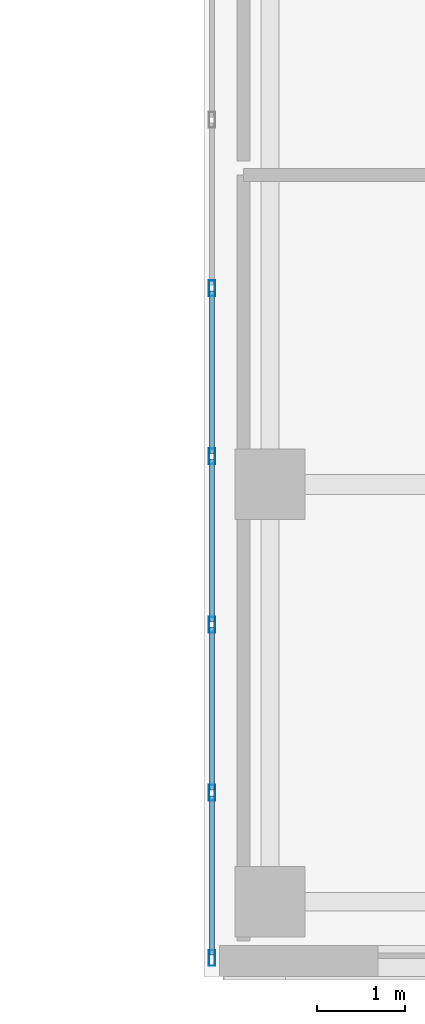
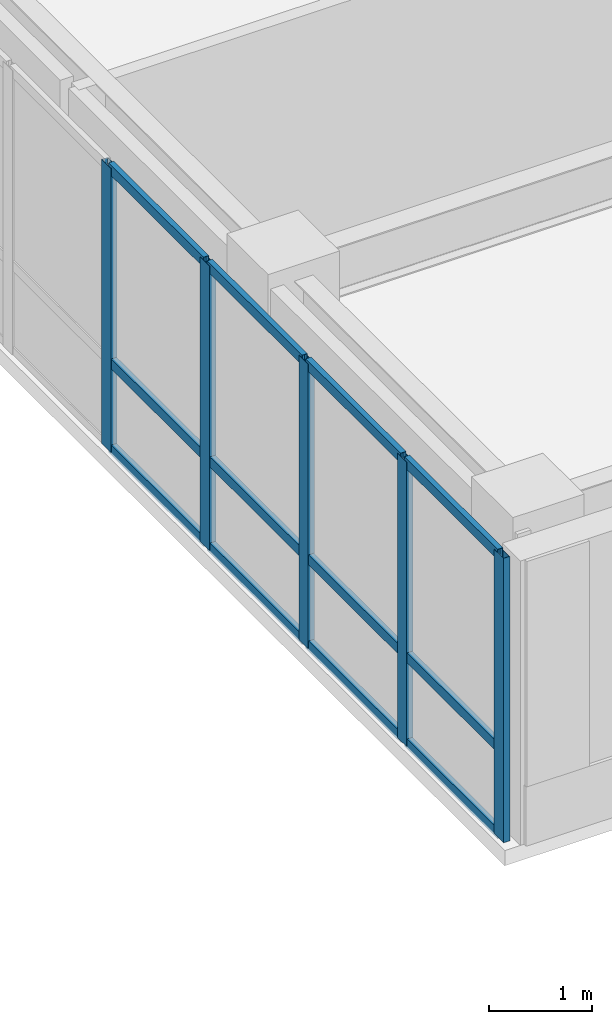
# One storey, part 4 of 20: 17 members, 1 element without a shape of its own.
"""IFC4 building model written with IfcOpenShell, lengths in metres."""

from ifc_helpers import new_model, si_unit, direction, frame, origin, origin_2d, place, context, subcontext, project, spatial, hollow_rectangle, extrude, source, transform, mapped, material, layer, layer_set, material_profile, profile_set, type_object, type_shapes, element, aggregate, save


model = new_model("IFC4")

# Units and contexts
model_context = context("Model", 3, precision=1e-05, world=origin(), true_north=direction((0.0, 1.0)))
body_context = subcontext(model_context, "Body", "Model", "MODEL_VIEW")
ifc_project = project(units=[si_unit("LENGTHUNIT", "METRE"), si_unit("AREAUNIT", "SQUARE_METRE"), si_unit("VOLUMEUNIT", "CUBIC_METRE"), si_unit("PLANEANGLEUNIT", "RADIAN"), si_unit("MASSUNIT", "GRAM", prefix="KILO")], contexts=[model_context])

# Site, building, storey
site_placement = place(None, origin())
site = spatial("IfcSite", under=ifc_project, at=site_placement, CompositionType="ELEMENT")
building_placement = place(site_placement, origin())
building = spatial("IfcBuilding", under=site, at=building_placement, Name="Tolvann Quenvar Hotel", CompositionType="ELEMENT")
storey_placement = place(building_placement, frame((0.0, 0.0, 191.10009765625)))
storey = spatial("IfcBuildingStorey", under=building, at=storey_placement, Name="L50", CompositionType="ELEMENT", Elevation=191.10009765625)

# Curtain wall, members
ifc_material_1 = material(Name="Thermally broken anodised architectural aluminium 6063-T6 and laminated low-E glass", Category="aluminium")
ifc_layer = layer(ifc_material_1, 0.179931640625)
ifc_layer_set = layer_set([ifc_layer], Name="Thermally broken anodised architectural aluminium 6063-T6 and laminated low-E glass")
curtain_wall_type = type_object("IfcCurtainWallType", Name="CW_SYS_SLOT_03", PredefinedType="USERDEFINED", material=ifc_layer_set)
curtain_wall_placement = place(storey_placement, origin())
curtain_wall = element("IfcCurtainWall", 1, at=curtain_wall_placement, inside=storey, type_object=curtain_wall_type, Name="Curtain Wall CW-SLOT-03 (CWR-L50-E07)", ObjectType="UNITISED CURTAIN WALL", PredefinedType="USERDEFINED")
ifc_material_2 = material(Name="Anodised architectural aluminium 6063-T6 framing", Category="aluminium")
ifc_material_profile_1 = material_profile(ifc_material_2, hollow_rectangle(XDim=0.070068359375, YDim=0.179931640625, WallThickness=0.00390625, at=origin_2d()), Name="180x70x4RHS")
ifc_profile_set_1 = profile_set([ifc_material_profile_1], Name="Anodised architectural aluminium 6063-T6 framing")
member_type_1 = type_object("IfcMemberType", Name="CW_MULL_180x70", PredefinedType="MULLION", material=ifc_profile_set_1)
shared_shape_1 = source(origin(), body_context, "Body", "SweptSolid", [
    extrude(hollow_rectangle(XDim=0.070068359375, YDim=0.179931640625, WallThickness=0.00390625, at=origin_2d()), origin(), (0.0, 0.0, 1.0), 3.369873046875),
])
type_shapes(member_type_1, [shared_shape_1])
member_1_placement = place(storey_placement, frame((34.2900390625, 10.43212890625, 0.0), z_axis=(0.0, 0.0, 1.0), x_axis=(1.0, 0.0, 0.0)))
member_1 = element("IfcMember", 2, at=member_1_placement, type_object=member_type_1, Name="CW-SLOT-03 mullion 4", PredefinedType="MULLION", context=body_context, shape_type="MappedRepresentation", body=[
    mapped(shared_shape_1, transform((0.0, 0.0, 0.0), x_axis=(1.0, 0.0, 0.0), y_axis=(0.0, 1.0, 0.0), z_axis=(0.0, 0.0, 1.0), scale=1.0)),
])
member_2_placement = place(storey_placement, frame((34.2900390625, 8.517822265625, 0.0), z_axis=(0.0, 0.0, 1.0), x_axis=(1.0, 0.0, 0.0)))
member_2 = element("IfcMember", 3, at=member_2_placement, type_object=member_type_1, Name="CW-SLOT-03 mullion 5", PredefinedType="MULLION", context=body_context, shape_type="MappedRepresentation", body=[
    mapped(shared_shape_1, transform((0.0, 0.0, 0.0), x_axis=(1.0, 0.0, 0.0), y_axis=(0.0, 1.0, 0.0), z_axis=(0.0, 0.0, 1.0), scale=1.0)),
])
member_3_placement = place(storey_placement, frame((34.2900390625, 6.603515625, 0.0), z_axis=(0.0, 0.0, 1.0), x_axis=(1.0, 0.0, 0.0)))
member_3 = element("IfcMember", 4, at=member_3_placement, type_object=member_type_1, Name="CW-SLOT-03 mullion 6", PredefinedType="MULLION", context=body_context, shape_type="MappedRepresentation", body=[
    mapped(shared_shape_1, transform((0.0, 0.0, 0.0), x_axis=(1.0, 0.0, 0.0), y_axis=(0.0, 1.0, 0.0), z_axis=(0.0, 0.0, 1.0), scale=1.0)),
])
member_4_placement = place(storey_placement, frame((34.2900390625, 4.689208984375, 0.0), z_axis=(0.0, 0.0, 1.0), x_axis=(1.0, 0.0, 0.0)))
member_4 = element("IfcMember", 5, at=member_4_placement, type_object=member_type_1, Name="CW-SLOT-03 mullion 7", PredefinedType="MULLION", context=body_context, shape_type="MappedRepresentation", body=[
    mapped(shared_shape_1, transform((0.0, 0.0, 0.0), x_axis=(1.0, 0.0, 0.0), y_axis=(0.0, 1.0, 0.0), z_axis=(0.0, 0.0, 1.0), scale=1.0)),
])
member_5_placement = place(storey_placement, frame((34.2900390625, 2.81005859375, 0.0), z_axis=(0.0, 0.0, 1.0), x_axis=(1.0, 0.0, 0.0)))
member_5 = element("IfcMember", 6, at=member_5_placement, type_object=member_type_1, Name="CW-SLOT-03 mullion 8", PredefinedType="MULLION", context=body_context, shape_type="MappedRepresentation", body=[
    mapped(shared_shape_1, transform((0.0, 0.0, 0.0), x_axis=(1.0, 0.0, 0.0), y_axis=(0.0, 1.0, 0.0), z_axis=(0.0, 0.0, 1.0), scale=1.0)),
])
ifc_material_profile_2 = material_profile(ifc_material_2, hollow_rectangle(XDim=0.06005859375, YDim=0.1201171875, WallThickness=0.00341796875, at=origin_2d()), Name="120x60x3.5RHS")
ifc_profile_set_2 = profile_set([ifc_material_profile_2], Name="Anodised architectural aluminium 6063-T6 framing")
member_type_2 = type_object("IfcMemberType", Name="CW_TRAN_120x60", PredefinedType="USERDEFINED", material=ifc_profile_set_2)
shared_shape_2 = source(origin(), body_context, "Body", "SweptSolid", [
    extrude(hollow_rectangle(XDim=0.06005859375, YDim=0.1201171875, WallThickness=0.00341796875, at=origin_2d()), origin(), (0.0, 0.0, 1.0), 1.809326171875),
])
member_6_placement = place(storey_placement, frame((34.2900390625, 4.654296875, 0.02978515625), z_axis=(0.0, -1.0, 0.0), x_axis=(1.0, 0.0, 0.0)))
member_6 = element("IfcMember", 7, at=member_6_placement, type_object=member_type_2, Name="CW-SLOT-03 transom 7.1", ObjectType="TRANSOM", PredefinedType="USERDEFINED", context=body_context, shape_type="MappedRepresentation", body=[
    mapped(shared_shape_2, transform((0.0, 0.0, 0.0), x_axis=(1.0, 0.0, 0.0), y_axis=(0.0, 1.0, 0.0), z_axis=(0.0, 0.0, 1.0), scale=1.0)),
])
member_7_placement = place(storey_placement, frame((34.2900390625, 4.654296875, 1.0498046875), z_axis=(0.0, -1.0, 0.0), x_axis=(1.0, 0.0, 0.0)))
member_7 = element("IfcMember", 8, at=member_7_placement, type_object=member_type_2, Name="CW-SLOT-03 transom 7.2", ObjectType="TRANSOM", PredefinedType="USERDEFINED", context=body_context, shape_type="MappedRepresentation", body=[
    mapped(shared_shape_2, transform((0.0, 0.0, 0.0), x_axis=(1.0, 0.0, 0.0), y_axis=(0.0, 1.0, 0.0), z_axis=(0.0, 0.0, 1.0), scale=1.0)),
])
member_8_placement = place(storey_placement, frame((34.2900390625, 4.654296875, 3.33984375), z_axis=(0.0, -1.0, 0.0), x_axis=(1.0, 0.0, 0.0)))
member_8 = element("IfcMember", 9, at=member_8_placement, type_object=member_type_2, Name="CW-SLOT-03 transom 7.3", ObjectType="TRANSOM", PredefinedType="USERDEFINED", context=body_context, shape_type="MappedRepresentation", body=[
    mapped(shared_shape_2, transform((0.0, 0.0, 0.0), x_axis=(1.0, 0.0, 0.0), y_axis=(0.0, 1.0, 0.0), z_axis=(0.0, 0.0, 1.0), scale=1.0)),
])
shared_shape_3 = source(origin(), body_context, "Body", "SweptSolid", [
    extrude(hollow_rectangle(XDim=0.06005859375, YDim=0.1201171875, WallThickness=0.00341796875, at=origin_2d()), origin(), (0.0, 0.0, 1.0), 1.84423828125),
])
type_shapes(member_type_2, [shared_shape_2, shared_shape_3])
member_9_placement = place(storey_placement, frame((34.2900390625, 10.397216796875, 0.02978515625), z_axis=(0.0, -1.0, 0.0), x_axis=(1.0, 0.0, 0.0)))
member_9 = element("IfcMember", 10, at=member_9_placement, type_object=member_type_2, Name="CW-SLOT-03 transom 4.1", ObjectType="TRANSOM", PredefinedType="USERDEFINED", context=body_context, shape_type="MappedRepresentation", body=[
    mapped(shared_shape_3, transform((0.0, 0.0, 0.0), x_axis=(1.0, 0.0, 0.0), y_axis=(0.0, 1.0, 0.0), z_axis=(0.0, 0.0, 1.0), scale=1.0)),
])
member_10_placement = place(storey_placement, frame((34.2900390625, 10.397216796875, 1.0498046875), z_axis=(0.0, -1.0, 0.0), x_axis=(1.0, 0.0, 0.0)))
member_10 = element("IfcMember", 11, at=member_10_placement, type_object=member_type_2, Name="CW-SLOT-03 transom 4.2", ObjectType="TRANSOM", PredefinedType="USERDEFINED", context=body_context, shape_type="MappedRepresentation", body=[
    mapped(shared_shape_3, transform((0.0, 0.0, 0.0), x_axis=(1.0, 0.0, 0.0), y_axis=(0.0, 1.0, 0.0), z_axis=(0.0, 0.0, 1.0), scale=1.0)),
])
member_11_placement = place(storey_placement, frame((34.2900390625, 10.397216796875, 3.33984375), z_axis=(0.0, -1.0, 0.0), x_axis=(1.0, 0.0, 0.0)))
member_11 = element("IfcMember", 12, at=member_11_placement, type_object=member_type_2, Name="CW-SLOT-03 transom 4.3", ObjectType="TRANSOM", PredefinedType="USERDEFINED", context=body_context, shape_type="MappedRepresentation", body=[
    mapped(shared_shape_3, transform((0.0, 0.0, 0.0), x_axis=(1.0, 0.0, 0.0), y_axis=(0.0, 1.0, 0.0), z_axis=(0.0, 0.0, 1.0), scale=1.0)),
])
member_12_placement = place(storey_placement, frame((34.2900390625, 8.48291015625, 0.02978515625), z_axis=(0.0, -1.0, 0.0), x_axis=(1.0, 0.0, 0.0)))
member_12 = element("IfcMember", 13, at=member_12_placement, type_object=member_type_2, Name="CW-SLOT-03 transom 5.1", ObjectType="TRANSOM", PredefinedType="USERDEFINED", context=body_context, shape_type="MappedRepresentation", body=[
    mapped(shared_shape_3, transform((0.0, 0.0, 0.0), x_axis=(1.0, 0.0, 0.0), y_axis=(0.0, 1.0, 0.0), z_axis=(0.0, 0.0, 1.0), scale=1.0)),
])
member_13_placement = place(storey_placement, frame((34.2900390625, 8.48291015625, 1.0498046875), z_axis=(0.0, -1.0, 0.0), x_axis=(1.0, 0.0, 0.0)))
member_13 = element("IfcMember", 14, at=member_13_placement, type_object=member_type_2, Name="CW-SLOT-03 transom 5.2", ObjectType="TRANSOM", PredefinedType="USERDEFINED", context=body_context, shape_type="MappedRepresentation", body=[
    mapped(shared_shape_3, transform((0.0, 0.0, 0.0), x_axis=(1.0, 0.0, 0.0), y_axis=(0.0, 1.0, 0.0), z_axis=(0.0, 0.0, 1.0), scale=1.0)),
])
member_14_placement = place(storey_placement, frame((34.2900390625, 8.48291015625, 3.33984375), z_axis=(0.0, -1.0, 0.0), x_axis=(1.0, 0.0, 0.0)))
member_14 = element("IfcMember", 15, at=member_14_placement, type_object=member_type_2, Name="CW-SLOT-03 transom 5.3", ObjectType="TRANSOM", PredefinedType="USERDEFINED", context=body_context, shape_type="MappedRepresentation", body=[
    mapped(shared_shape_3, transform((0.0, 0.0, 0.0), x_axis=(1.0, 0.0, 0.0), y_axis=(0.0, 1.0, 0.0), z_axis=(0.0, 0.0, 1.0), scale=1.0)),
])
member_15_placement = place(storey_placement, frame((34.2900390625, 6.568603515625, 0.02978515625), z_axis=(0.0, -1.0, 0.0), x_axis=(1.0, 0.0, 0.0)))
member_15 = element("IfcMember", 16, at=member_15_placement, type_object=member_type_2, Name="CW-SLOT-03 transom 6.1", ObjectType="TRANSOM", PredefinedType="USERDEFINED", context=body_context, shape_type="MappedRepresentation", body=[
    mapped(shared_shape_3, transform((0.0, 0.0, 0.0), x_axis=(1.0, 0.0, 0.0), y_axis=(0.0, 1.0, 0.0), z_axis=(0.0, 0.0, 1.0), scale=1.0)),
])
member_16_placement = place(storey_placement, frame((34.2900390625, 6.568603515625, 1.0498046875), z_axis=(0.0, -1.0, 0.0), x_axis=(1.0, 0.0, 0.0)))
member_16 = element("IfcMember", 17, at=member_16_placement, type_object=member_type_2, Name="CW-SLOT-03 transom 6.2", ObjectType="TRANSOM", PredefinedType="USERDEFINED", context=body_context, shape_type="MappedRepresentation", body=[
    mapped(shared_shape_3, transform((0.0, 0.0, 0.0), x_axis=(1.0, 0.0, 0.0), y_axis=(0.0, 1.0, 0.0), z_axis=(0.0, 0.0, 1.0), scale=1.0)),
])
member_17_placement = place(storey_placement, frame((34.2900390625, 6.568603515625, 3.33984375), z_axis=(0.0, -1.0, 0.0), x_axis=(1.0, 0.0, 0.0)))
member_17 = element("IfcMember", 18, at=member_17_placement, type_object=member_type_2, Name="CW-SLOT-03 transom 6.3", ObjectType="TRANSOM", PredefinedType="USERDEFINED", context=body_context, shape_type="MappedRepresentation", body=[
    mapped(shared_shape_3, transform((0.0, 0.0, 0.0), x_axis=(1.0, 0.0, 0.0), y_axis=(0.0, 1.0, 0.0), z_axis=(0.0, 0.0, 1.0), scale=1.0)),
])
aggregate(curtain_wall, [member_1, member_2, member_3, member_4, member_5, member_9, member_10, member_11, member_12, member_13, member_14, member_15, member_16, member_17, member_6, member_7, member_8])

save(model, "model.ifc")
